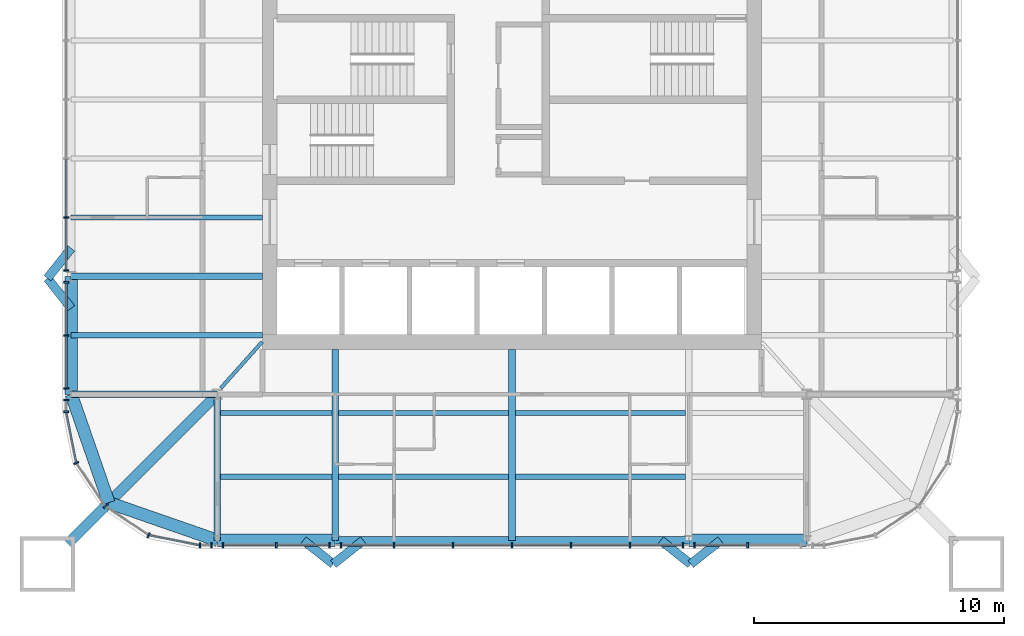
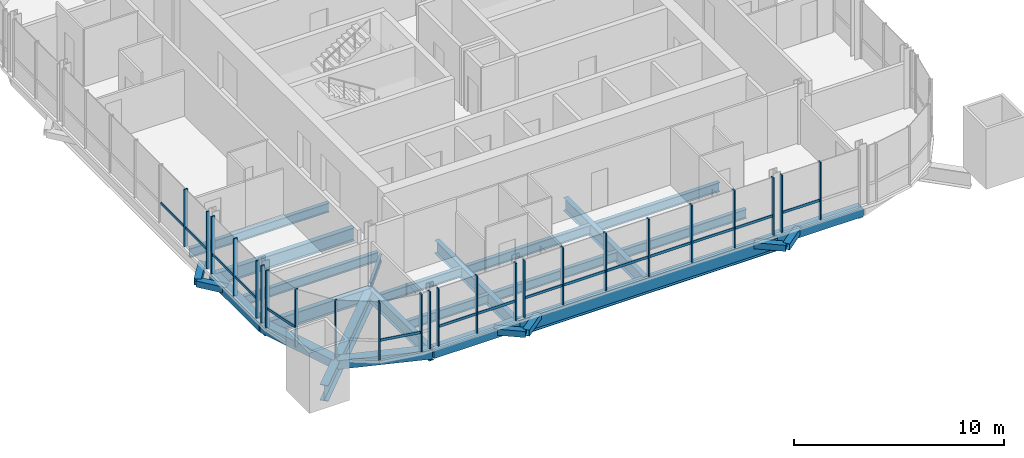
# One storey, part 2 of 17: 39 members, 27 beams, 8 elements without a shape of their own.
"""IFC4 building model written with IfcOpenShell, lengths in metres."""

import ifcopenshell
import ifcopenshell.guid

model = None  # the IFC model being written
_history = None  # IfcOwnerHistory: only IFC2X3 demands one
_inside = {}  # id of a spatial element -> (the spatial element, [elements in it])
_under = {}  # id of a project, library or spatial element -> (it, [spatial elements below it])
_declared = {}  # id of a project -> (the project, [libraries it declares])
_typed = {}  # id of a type object -> (the type object, [elements of that type])
_made_of = {}  # id of a material, layer set ... -> (it, [elements and type objects made of it])


def new_model(schema):
    """Start an empty IFC model of exactly this schema.

    Asked for "IFC4X3", IfcOpenShell would pick the latest addendum, in which some entities
    have other attributes; the version numbers below select the first issue.
    IFC2X3 requires an IfcOwnerHistory on every rooted entity: one is made here for all.
    """
    global model, _history
    if schema == "IFC4X3":
        model = ifcopenshell.file(schema_version=(4, 3, 0, 0))
    else:
        model = ifcopenshell.file(schema=schema)
    _inside.clear()
    _under.clear()
    _declared.clear()
    _typed.clear()
    _made_of.clear()
    _history = None
    if model.schema == "IFC2X3":
        org = make("IfcOrganization", Name="unknown")
        user = make(
            "IfcPersonAndOrganization",
            ThePerson=make("IfcPerson", FamilyName="unknown"),
            TheOrganization=org,
        )
        app = make(
            "IfcApplication",
            ApplicationDeveloper=org,
            Version="unknown",
            ApplicationFullName="unknown",
            ApplicationIdentifier="unknown",
        )
        _history = make(
            "IfcOwnerHistory",
            OwningUser=user,
            OwningApplication=app,
            ChangeAction="ADDED",
            CreationDate=0,
        )
    return model


def make(cls, **values):
    """One entity of the class cls with the attributes given. An attribute that is None is left unset."""
    return model.create_entity(
        cls, **{name: value for name, value in values.items() if value is not None}
    )


def rooted(cls, **values):
    """An entity with a GlobalId (a new one), such as an element, a storey or a relation."""
    return make(cls, GlobalId=ifcopenshell.guid.new(), OwnerHistory=_history, **values)


def si_unit(unit_type, name, prefix=None):
    """IfcSIUnit, for example si_unit("LENGTHUNIT", "METRE", prefix="MILLI")."""
    return make("IfcSIUnit", UnitType=unit_type, Prefix=prefix, Name=name)


def assignment(units):
    """IfcUnitAssignment: the units of a project."""
    return None if units is None else make("IfcUnitAssignment", Units=units)


def point(xyz):
    """IfcCartesianPoint."""
    return None if xyz is None else make("IfcCartesianPoint", Coordinates=xyz)


def direction(xyz):
    """IfcDirection."""
    return None if xyz is None else make("IfcDirection", DirectionRatios=xyz)


def frame(location, z_axis=None, x_axis=None):
    """IfcAxis2Placement3D, a coordinate frame: its origin and axes. An axis left out is left unset."""
    return make(
        "IfcAxis2Placement3D",
        Location=point(location),
        Axis=direction(z_axis),
        RefDirection=direction(x_axis),
    )


def frame_2d(location, x_axis=None):
    """IfcAxis2Placement2D, a coordinate frame in the plane: its origin and x axis."""
    return make(
        "IfcAxis2Placement2D", Location=point(location), RefDirection=direction(x_axis)
    )


def origin():
    """The frame at (0, 0, 0) with its axes left unset."""
    return frame((0.0, 0.0, 0.0))


def origin_2d():
    """The frame at (0, 0) in the plane with its x axis left unset."""
    return frame_2d((0.0, 0.0))


def place(relative_to, where):
    """IfcLocalPlacement: puts the frame where relative to a parent placement (None: the world)."""
    return make(
        "IfcLocalPlacement", PlacementRelTo=relative_to, RelativePlacement=where
    )


def context(
    kind, dimensions, precision=None, world=None, true_north=None, identifier=None
):
    """IfcGeometricRepresentationContext, for example the 3D "Model" context."""
    return make(
        "IfcGeometricRepresentationContext",
        ContextIdentifier=identifier,
        ContextType=kind,
        CoordinateSpaceDimension=dimensions,
        Precision=precision,
        WorldCoordinateSystem=world,
        TrueNorth=true_north,
    )


def subcontext(parent, identifier, kind, view, scale=None):
    """IfcGeometricRepresentationSubContext, for example "Body" below "Model"."""
    return make(
        "IfcGeometricRepresentationSubContext",
        ContextIdentifier=identifier,
        ContextType=kind,
        ParentContext=parent,
        TargetScale=scale,
        TargetView=view,
    )


def project(units=None, contexts=None):
    """IfcProject with its units and contexts."""
    return rooted(
        "IfcProject",
        Name="project",
        RepresentationContexts=contexts,
        UnitsInContext=assignment(units),
    )


def spatial(cls, under=None, at=None, **own):
    """A site, building, storey or space (cls), placed at a placement, below another one or the project."""
    s = rooted(cls, ObjectPlacement=at, **own)
    if under is not None:
        _under.setdefault(under.id(), (under, []))[1].append(s)
    return s


def profile(cls, at=None, kind="AREA", **sizes):
    """A parametric profile (cls). Its sizes go by their IFC names, for example OverallWidth=200.0."""
    return make(cls, ProfileType=kind, Position=at, **sizes)


def rectangle(**sizes):
    """IfcRectangleProfileDef."""
    return profile("IfcRectangleProfileDef", **sizes)


def hollow_rectangle(**sizes):
    """IfcRectangleHollowProfileDef."""
    return profile("IfcRectangleHollowProfileDef", **sizes)


def i_section(**sizes):
    """IfcIShapeProfileDef."""
    return profile("IfcIShapeProfileDef", **sizes)


def extrude(swept, where, along, depth):
    """IfcExtrudedAreaSolid: the profile swept, set in the frame where, extruded along a direction by depth."""
    return make(
        "IfcExtrudedAreaSolid",
        SweptArea=swept,
        Position=where,
        ExtrudedDirection=direction(along),
        Depth=depth,
    )


def shape(context_of_items, identifier, shape_type, items):
    """IfcShapeRepresentation: the items that make up one representation, for example the "Body"."""
    return make(
        "IfcShapeRepresentation",
        ContextOfItems=context_of_items,
        RepresentationIdentifier=identifier,
        RepresentationType=shape_type,
        Items=items,
    )


def material(Name=None, Category=None):
    """IfcMaterial."""
    return make("IfcMaterial", Name=Name, Category=Category)


def material_profile(
    of_material, cross_section, Name=None, Category=None, Priority=None
):
    """IfcMaterialProfile: a cross section and its material."""
    return make(
        "IfcMaterialProfile",
        Name=Name,
        Material=of_material,
        Profile=cross_section,
        Priority=Priority,
        Category=Category,
    )


def profile_set(profiles, Name=None, composite=None):
    """IfcMaterialProfileSet."""
    return make(
        "IfcMaterialProfileSet",
        Name=Name,
        MaterialProfiles=profiles,
        CompositeProfile=composite,
    )


def made_of(thing, what):
    """Note that an element or type object is made of a material, layer set ...; save() writes the relation."""
    if what is not None:
        _made_of.setdefault(what.id(), (what, []))[1].append(thing)
    return thing


def type_object(cls, material=None, **own):
    """A type object (cls), such as IfcWallType, which elements share."""
    return made_of(rooted(cls, **own), material)


def element(
    cls,
    number,
    at=None,
    inside=None,
    cuts=None,
    type_object=None,
    material=None,
    context=None,
    identifier="Body",
    shape_type=None,
    held_by="IfcProductDefinitionShape",
    body=None,
    shapes=None,
    **own,
):
    """One element of the class cls, such as IfcWall. Its Tag is "e" and its number.

    at: its placement. inside: the storey or other place that contains it. cuts: it is an
    opening in that element (IfcRelVoidsElement). A single representation is given by context,
    identifier, shape_type and body (its items); several are given by shapes. held_by: the class
    of the entity that holds the representations. save() writes the other relations.
    """
    e = rooted(cls, Tag="e%d" % number, ObjectPlacement=at, **own)
    if body is not None:
        shapes = [shape(context, identifier, shape_type, body)]
    if shapes is not None:
        e.Representation = make(held_by, Representations=shapes)
    if inside is not None:
        _inside.setdefault(inside.id(), (inside, []))[1].append(e)
    if cuts is not None:
        rooted(
            "IfcRelVoidsElement", RelatingBuildingElement=cuts, RelatedOpeningElement=e
        )
    if type_object is not None:
        _typed.setdefault(type_object.id(), (type_object, []))[1].append(e)
    return made_of(e, material)


def aggregate(whole, parts):
    """IfcRelAggregates: a whole, such as a stair, and the parts it consists of."""
    return rooted("IfcRelAggregates", RelatingObject=whole, RelatedObjects=parts)


def save(model, path):
    """Write the relations noted so far, then the file.

    IfcRelAggregates (storeys below a building ...), IfcRelContainedInSpatialStructure (elements
    in a storey), IfcRelDefinesByType, IfcRelAssociatesMaterial and IfcRelDeclares: one each for
    every whole, place, type object, material and project.
    """
    for whole, parts in _under.values():
        aggregate(whole, parts)
    for where, things in _inside.values():
        rooted(
            "IfcRelContainedInSpatialStructure",
            RelatedElements=things,
            RelatingStructure=where,
        )
    for kind, things in _typed.values():
        rooted("IfcRelDefinesByType", RelatedObjects=things, RelatingType=kind)
    for what, things in _made_of.values():
        rooted("IfcRelAssociatesMaterial", RelatedObjects=things, RelatingMaterial=what)
    for by, libraries in _declared.values():
        rooted("IfcRelDeclares", RelatingContext=by, RelatedDefinitions=libraries)
    model.write(path)


model = new_model("IFC4")

# Units and contexts
model_context = context("Model", 3, precision=1e-05, world=origin(), true_north=direction((0.0, 1.0)))
body_context = subcontext(model_context, "Body", "Model", "MODEL_VIEW")
ifc_project = project(units=[si_unit("LENGTHUNIT", "METRE"), si_unit("AREAUNIT", "SQUARE_METRE"), si_unit("VOLUMEUNIT", "CUBIC_METRE"), si_unit("PLANEANGLEUNIT", "RADIAN"), si_unit("MASSUNIT", "GRAM", prefix="KILO")], contexts=[model_context])

# Site, building, storey
site_placement = place(None, origin())
site = spatial("IfcSite", under=ifc_project, at=site_placement, CompositionType="ELEMENT")
building_placement = place(site_placement, origin())
building = spatial("IfcBuilding", under=site, at=building_placement, Name="Turquesa Mirador Hotel Tower", CompositionType="ELEMENT")
storey_placement = place(building_placement, frame((0.0, 0.0, 258.199951171875)))
storey = spatial("IfcBuildingStorey", under=building, at=storey_placement, Name="L70", CompositionType="ELEMENT", Elevation=258.199951171875)

# Beams
ifc_material_1 = material(Name="Steel ASTM A572 Grade 50", Category="steel")
ifc_material_profile_1 = material_profile(ifc_material_1, hollow_rectangle(XDim=0.5, YDim=0.5, WallThickness=0.01611328125, at=origin_2d()), Name="BOX500X500X16")
ifc_profile_set_1 = profile_set([ifc_material_profile_1], Name="Steel ASTM A572 Grade 50")
beam_type_1 = type_object("IfcBeamType", Name="BEAM BOX500X500X16", PredefinedType="BEAM", material=ifc_profile_set_1)
for number, where, z_axis, x_axis, name in (
    (1, (43.199951171875, 27.35009765625, -0.419921875), (1.0, 0.0, 0.0), (0.0, 1.0, 0.0), "EB-L70-S-L"),
    (2, (62.080078125, 27.35009765625, -0.419921875), (1.0, 0.0, 0.0), (0.0, 1.0, 0.0), "EB-L70-S-R"),
    (3, (37.35009765625, 33.199951171875, -0.419921875), (0.0, 1.0, 0.0), (-1.0, 0.0, 0.0), "EB-L70-W-L"),
):
    element("IfcBeam", number, at=place(storey_placement, frame(where, z_axis=z_axis, x_axis=x_axis)), inside=storey, type_object=beam_type_1, Name=name, PredefinedType="BEAM", context=body_context, shape_type="SweptSolid", body=[
        extrude(hollow_rectangle(XDim=0.5, YDim=0.5, WallThickness=0.01611328125, at=origin_2d()), origin(), (0.0, 0.0, 1.0), 4.719970703125),
    ])
for number, where, z_axis, x_axis, name in (
    (4, (37.35009765625, 33.199951171875, -0.419921875), (0.328170356092, -0.944618556552, 0.0), (0.944618556552, 0.328170356092, 0.0), "KE-L70-3-0"),
    (5, (38.8583984375, 28.8583984375, -0.419921875), (0.944618556552, -0.328170356092, 0.0), (0.328170356092, 0.944618556552, 0.0), "KE-L70-3-1"),
):
    element("IfcBeam", number, at=place(storey_placement, frame(where, z_axis=z_axis, x_axis=x_axis)), inside=storey, type_object=beam_type_1, Name=name, PredefinedType="BEAM", context=body_context, shape_type="SweptSolid", body=[
        extrude(hollow_rectangle(XDim=0.5, YDim=0.5, WallThickness=0.01611328125, at=origin_2d()), origin(), (0.0, 0.0, 1.0), 4.59619140625),
    ])
ifc_material_2 = material(Name="Steel ASTM A992 Grade 50", Category="steel")
ifc_material_profile_2 = material_profile(ifc_material_2, i_section(OverallWidth=0.140380859375, OverallDepth=0.40380859375, WebThickness=0.007080078125, FlangeThickness=0.01123046875, at=origin_2d()), Name="W16X31")
ifc_profile_set_2 = profile_set([ifc_material_profile_2], Name="Steel ASTM A992 Grade 50")
beam_type_2 = type_object("IfcBeamType", Name="BEAM W16X31", PredefinedType="BEAM", material=ifc_profile_set_2)
beam_1_placement = place(storey_placement, frame((43.343505859375, 33.44873046875, -0.371826171875), z_axis=(0.666806350186, 0.745231032198, 0.0), x_axis=(-0.745231032198, 0.666806350186, 0.0)))
element("IfcBeam", 6, at=beam_1_placement, inside=storey, type_object=beam_type_2, Name="KT-L70-3", PredefinedType="BEAM", context=body_context, shape_type="SweptSolid", body=[
    extrude(i_section(OverallWidth=0.140380859375, OverallDepth=0.40380859375, WebThickness=0.007080078125, FlangeThickness=0.01123046875, at=origin_2d()), origin(), (0.0, 0.0, 1.0), 2.484130859375),
])
ifc_material_3 = material(Name="Steel ASTM A992 Grade 50", Category="steel")
ifc_material_profile_3 = material_profile(ifc_material_3, i_section(OverallWidth=0.209228515625, OverallDepth=0.533447265625, WebThickness=0.01025390625, FlangeThickness=0.015625, at=origin_2d()), Name="W21X62")
ifc_profile_set_3 = profile_set([ifc_material_profile_3], Name="Steel ASTM A992 Grade 50")
beam_type_3 = type_object("IfcBeamType", Name="BEAM W21X62", PredefinedType="BEAM", material=ifc_profile_set_3)
beam_2_placement = place(storey_placement, frame((43.333251953125, 32.449951171875, -0.436767578125), z_axis=(1.0, 0.0, 0.0), x_axis=(0.0, 1.0, 0.0)))
element("IfcBeam", 7, at=beam_2_placement, inside=storey, type_object=beam_type_3, Name="IB-L70-S-1-0", PredefinedType="BEAM", context=body_context, shape_type="SweptSolid", body=[
    extrude(i_section(OverallWidth=0.209228515625, OverallDepth=0.533447265625, WebThickness=0.01025390625, FlangeThickness=0.015625, at=origin_2d()), origin(), (0.0, 0.0, 1.0), 4.453369140625),
])
for number, where, z_axis, x_axis, name in (
    (8, (48.053466796875, 32.449951171875, -0.436767578125), (1.0, 0.0, 0.0), (0.0, 1.0, 0.0), "IB-L70-S-1-1"),
    (9, (55.13330078125, 32.449951171875, -0.436767578125), (1.0, 0.0, 0.0), (0.0, 1.0, 0.0), "IB-L70-S-1-2"),
):
    element("IfcBeam", number, at=place(storey_placement, frame(where, z_axis=z_axis, x_axis=x_axis)), inside=storey, type_object=beam_type_3, Name=name, PredefinedType="BEAM", context=body_context, shape_type="SweptSolid", body=[
        extrude(i_section(OverallWidth=0.209228515625, OverallDepth=0.533447265625, WebThickness=0.01025390625, FlangeThickness=0.015625, at=origin_2d()), origin(), (0.0, 0.0, 1.0), 6.813232421875),
    ])
beam_3_placement = place(storey_placement, frame((43.333251953125, 29.89990234375, -0.436767578125), z_axis=(1.0, 0.0, 0.0), x_axis=(0.0, 1.0, 0.0)))
element("IfcBeam", 10, at=beam_3_placement, inside=storey, type_object=beam_type_3, Name="IB-L70-S-2-0", PredefinedType="BEAM", context=body_context, shape_type="SweptSolid", body=[
    extrude(i_section(OverallWidth=0.209228515625, OverallDepth=0.533447265625, WebThickness=0.01025390625, FlangeThickness=0.015625, at=origin_2d()), origin(), (0.0, 0.0, 1.0), 4.453369140625),
])
for number, where, z_axis, x_axis, name in (
    (11, (48.053466796875, 29.89990234375, -0.436767578125), (1.0, 0.0, 0.0), (0.0, 1.0, 0.0), "IB-L70-S-2-1"),
    (12, (55.13330078125, 29.89990234375, -0.436767578125), (1.0, 0.0, 0.0), (0.0, 1.0, 0.0), "IB-L70-S-2-2"),
):
    element("IfcBeam", number, at=place(storey_placement, frame(where, z_axis=z_axis, x_axis=x_axis)), inside=storey, type_object=beam_type_3, Name=name, PredefinedType="BEAM", context=body_context, shape_type="SweptSolid", body=[
        extrude(i_section(OverallWidth=0.209228515625, OverallDepth=0.533447265625, WebThickness=0.01025390625, FlangeThickness=0.015625, at=origin_2d()), origin(), (0.0, 0.0, 1.0), 6.813232421875),
    ])
for number, where, z_axis, x_axis, name in (
    (13, (37.35009765625, 35.56005859375, -0.436767578125), (1.0, 0.0, 0.0), (0.0, 1.0, 0.0), "BM-L70-W--9.44"),
    (14, (37.35009765625, 40.280029296875, -0.436767578125), (1.0, 0.0, 0.0), (0.0, 1.0, 0.0), "BM-L70-W--4.72"),
):
    element("IfcBeam", number, at=place(storey_placement, frame(where, z_axis=z_axis, x_axis=x_axis)), inside=storey, type_object=beam_type_3, Name=name, PredefinedType="BEAM", context=body_context, shape_type="SweptSolid", body=[
        extrude(i_section(OverallWidth=0.209228515625, OverallDepth=0.533447265625, WebThickness=0.01025390625, FlangeThickness=0.015625, at=origin_2d()), origin(), (0.0, 0.0, 1.0), 7.64990234375),
    ])
ifc_material_4 = material(Name="Steel ASTM A992 Grade 50", Category="steel")
ifc_material_profile_4 = material_profile(ifc_material_4, i_section(OverallWidth=0.2666015625, OverallDepth=0.7568359375, WebThickness=0.013916015625, FlangeThickness=0.019287109375, at=origin_2d()), Name="W30X108")
ifc_profile_set_4 = profile_set([ifc_material_profile_4], Name="Steel ASTM A992 Grade 50")
beam_type_4 = type_object("IfcBeamType", Name="BEAM W30X108", PredefinedType="BEAM", material=ifc_profile_set_4)
for number, where, z_axis, x_axis, name in (
    (15, (47.919921875, 27.35009765625, -0.54833984375), (0.0, 1.0, 0.0), (-1.0, 0.0, 0.0), "GD-L70-S--7.08"),
    (16, (55.0, 27.35009765625, -0.54833984375), (0.0, 1.0, 0.0), (-1.0, 0.0, 0.0), "GD-L70-S-+0.00"),
):
    element("IfcBeam", number, at=place(storey_placement, frame(where, z_axis=z_axis, x_axis=x_axis)), inside=storey, type_object=beam_type_4, Name=name, PredefinedType="BEAM", context=body_context, shape_type="SweptSolid", body=[
        extrude(i_section(OverallWidth=0.2666015625, OverallDepth=0.7568359375, WebThickness=0.013916015625, FlangeThickness=0.019287109375, at=origin_2d()), origin(), (0.0, 0.0, 1.0), 7.64990234375),
    ])
beam_4_placement = place(storey_placement, frame((43.199951171875, 27.35009765625, -0.54833984375), z_axis=(0.0, 1.0, 0.0), x_axis=(-1.0, 0.0, 0.0)))
element("IfcBeam", 17, at=beam_4_placement, inside=storey, type_object=beam_type_4, Name="GK-L70-S--11.80", PredefinedType="BEAM", context=body_context, shape_type="SweptSolid", body=[
    extrude(i_section(OverallWidth=0.2666015625, OverallDepth=0.7568359375, WebThickness=0.013916015625, FlangeThickness=0.019287109375, at=origin_2d()), origin(), (0.0, 0.0, 1.0), 5.849853515625),
])
beam_5_placement = place(storey_placement, frame((37.35009765625, 37.919921875, -0.54833984375), z_axis=(1.0, 0.0, 0.0), x_axis=(0.0, 1.0, 0.0)))
element("IfcBeam", 18, at=beam_5_placement, inside=storey, type_object=beam_type_4, Name="GD-L70-W--7.08", PredefinedType="BEAM", context=body_context, shape_type="SweptSolid", body=[
    extrude(i_section(OverallWidth=0.2666015625, OverallDepth=0.7568359375, WebThickness=0.013916015625, FlangeThickness=0.019287109375, at=origin_2d()), origin(), (0.0, 0.0, 1.0), 7.64990234375),
])
beam_6_placement = place(storey_placement, frame((37.35009765625, 33.199951171875, -0.54833984375), z_axis=(1.0, 0.0, 0.0), x_axis=(0.0, 1.0, 0.0)))
element("IfcBeam", 19, at=beam_6_placement, inside=storey, type_object=beam_type_4, Name="GK-L70-W--11.80", PredefinedType="BEAM", context=body_context, shape_type="SweptSolid", body=[
    extrude(i_section(OverallWidth=0.2666015625, OverallDepth=0.7568359375, WebThickness=0.013916015625, FlangeThickness=0.019287109375, at=origin_2d()), origin(), (0.0, 0.0, 1.0), 5.849853515625),
])
ifc_material_5 = material(Name="Steel ASTM A992 Grade 50", Category="steel")
ifc_material_profile_5 = material_profile(ifc_material_5, i_section(OverallWidth=0.3046875, OverallDepth=0.911865234375, WebThickness=0.015869140625, FlangeThickness=0.02392578125, at=origin_2d()), Name="W36X150")
ifc_profile_set_5 = profile_set([ifc_material_profile_5], Name="Steel ASTM A992 Grade 50")
beam_type_5 = type_object("IfcBeamType", Name="BEAM W36X150", PredefinedType="BEAM", material=ifc_profile_set_5)
beam_7_placement = place(storey_placement, frame((47.919921875, 27.35009765625, -0.6259765625), z_axis=(1.0, 0.0, 0.0), x_axis=(0.0, 1.0, 0.0)))
element("IfcBeam", 20, at=beam_7_placement, inside=storey, type_object=beam_type_5, Name="EB-L70-S-C", PredefinedType="BEAM", context=body_context, shape_type="SweptSolid", body=[
    extrude(i_section(OverallWidth=0.3046875, OverallDepth=0.911865234375, WebThickness=0.015869140625, FlangeThickness=0.02392578125, at=origin_2d()), origin(), (0.0, 0.0, 1.0), 14.16015625),
])
ifc_material_6 = material(Name="Steel ASTM A992 Grade 50", Category="steel")
ifc_material_profile_6 = material_profile(ifc_material_6, i_section(OverallWidth=0.419189453125, OverallDepth=0.927001953125, WebThickness=0.019287109375, FlangeThickness=0.031982421875, at=origin_2d()), Name="W36X231")
ifc_profile_set_6 = profile_set([ifc_material_profile_6], Name="Steel ASTM A992 Grade 50")
beam_type_6 = type_object("IfcBeamType", Name="BEAM W36X231", PredefinedType="BEAM", material=ifc_profile_set_6)
beam_8_placement = place(storey_placement, frame((43.199951171875, 33.199951171875, -0.633544921875), z_axis=(-0.707106781187, -0.707106781187, 0.0), x_axis=(0.707106781187, -0.707106781187, 0.0)))
element("IfcBeam", 21, at=beam_8_placement, inside=storey, type_object=beam_type_6, Name="KD-L70-3", PredefinedType="BEAM", context=body_context, shape_type="SweptSolid", body=[
    extrude(i_section(OverallWidth=0.419189453125, OverallDepth=0.927001953125, WebThickness=0.019287109375, FlangeThickness=0.031982421875, at=origin_2d()), origin(), (0.0, 0.0, 1.0), 8.46240234375),
])
ifc_material_7 = material(Name="Steel ASTM A500 Grade C", Category="steel")
ifc_material_profile_7 = material_profile(ifc_material_7, hollow_rectangle(XDim=0.355712890625, YDim=0.355712890625, WallThickness=0.0146484375, at=origin_2d()), Name="HSS14X14X5/8")
ifc_profile_set_7 = profile_set([ifc_material_profile_7], Name="Steel ASTM A500 Grade C")
beam_type_7 = type_object("IfcBeamType", Name="BRACE STRUT HSS14X14X5/8", PredefinedType="BEAM", material=ifc_profile_set_7)
for number, where, z_axis, x_axis, name in (
    (22, (62.15380859375, 26.39990234375, -0.34765625), (-0.783971428146, 0.620796907089, 0.0), (-0.620796907089, -0.783971428146, 0.0), "Brace strut"),
    (23, (62.15380859375, 26.39990234375, -0.34765625), (0.783971428146, 0.620796907089, 0.0), (-0.620796907089, 0.783971428146, 0.0), "Brace strut"),
    (24, (47.84619140625, 26.39990234375, -0.34765625), (-0.783971428146, 0.620796907089, 0.0), (-0.620796907089, -0.783971428146, 0.0), "Brace strut"),
    (25, (47.84619140625, 26.39990234375, -0.34765625), (0.783971428146, 0.620796907089, 0.0), (-0.620796907089, 0.783971428146, 0.0), "Brace strut"),
    (26, (36.39990234375, 37.84619140625, -0.34765625), (0.620796907089, -0.783971428146, 0.0), (0.783971428146, 0.620796907089, 0.0), "Brace strut"),
    (27, (36.39990234375, 37.84619140625, -0.34765625), (0.620796907089, 0.783971428146, 0.0), (-0.783971428146, 0.620796907089, 0.0), "Brace strut"),
):
    element("IfcBeam", number, at=place(storey_placement, frame(where, z_axis=z_axis, x_axis=x_axis)), inside=storey, type_object=beam_type_7, Name=name, PredefinedType="BEAM", context=body_context, shape_type="SweptSolid", body=[
        extrude(hollow_rectangle(XDim=0.355712890625, YDim=0.355712890625, WallThickness=0.0146484375, at=origin_2d()), origin(), (0.0, 0.0, 1.0), 1.530517578125),
    ])

# Curtain wall, members
ifc_material_8 = material(Name="Aluminium extrusion", Category="aluminium")
curtain_wall_type = type_object("IfcCurtainWallType", Name="CW-4 SUITE FRITTED CURTAIN WALL", PredefinedType="USERDEFINED", material=ifc_material_8)
curtain_wall_1_placement = place(storey_placement, origin())
curtain_wall_1 = element("IfcCurtainWall", 28, at=curtain_wall_1_placement, inside=storey, type_object=curtain_wall_type, Name="CW-4 SUITE FRITTED CURTAIN WALL L70", ObjectType="CURTAIN WALL", PredefinedType="USERDEFINED")
ifc_material_9 = material(Name="Aluminium extrusion", Category="aluminium")
ifc_material_profile_8 = material_profile(ifc_material_9, rectangle(XDim=0.06494140625, YDim=0.199951171875, at=origin_2d()), Name="MULLION 65X200")
ifc_profile_set_8 = profile_set([ifc_material_profile_8], Name="Aluminium extrusion")
member_type_1 = type_object("IfcMemberType", Name="CW MULLION 65X200", PredefinedType="MULLION", material=ifc_profile_set_8)
member_1_placement = place(storey_placement, frame((37.14990234375, 40.280029296875, 0.0), z_axis=(0.0, 0.0, 1.0), x_axis=(0.0, -1.0, 0.0)))
member_1 = element("IfcMember", 29, at=member_1_placement, type_object=member_type_1, Name="Mullion", PredefinedType="MULLION", context=body_context, shape_type="SweptSolid", body=[
    extrude(rectangle(XDim=0.06494140625, YDim=0.199951171875, at=origin_2d()), origin(), (0.0, 0.0, 1.0), 3.330078125),
])
member_2_placement = place(storey_placement, frame((37.14990234375, 38.15380859375, 0.0), z_axis=(0.0, 0.0, 1.0), x_axis=(0.0, -1.0, 0.0)))
member_2 = element("IfcMember", 30, at=member_2_placement, type_object=member_type_1, Name="Mullion", PredefinedType="MULLION", context=body_context, shape_type="SweptSolid", body=[
    extrude(rectangle(XDim=0.06494140625, YDim=0.199951171875, at=origin_2d()), origin(), (0.0, 0.0, 1.0), 3.330078125),
])

curtain_wall_2_placement = place(storey_placement, origin())
curtain_wall_2 = element("IfcCurtainWall", 31, at=curtain_wall_2_placement, inside=storey, type_object=curtain_wall_type, Name="CW-4 SUITE FRITTED CURTAIN WALL L70", ObjectType="CURTAIN WALL", PredefinedType="USERDEFINED")
member_3_placement = place(storey_placement, frame((37.14990234375, 37.68603515625, 0.0), z_axis=(0.0, 0.0, 1.0), x_axis=(0.0, -1.0, 0.0)))
member_3 = element("IfcMember", 32, at=member_3_placement, type_object=member_type_1, Name="Mullion", PredefinedType="MULLION", context=body_context, shape_type="SweptSolid", body=[
    extrude(rectangle(XDim=0.06494140625, YDim=0.199951171875, at=origin_2d()), origin(), (0.0, 0.0, 1.0), 3.330078125),
])
member_4_placement = place(storey_placement, frame((37.14990234375, 35.56005859375, 0.0), z_axis=(0.0, 0.0, 1.0), x_axis=(0.0, -1.0, 0.0)))
member_4 = element("IfcMember", 33, at=member_4_placement, type_object=member_type_1, Name="Mullion", PredefinedType="MULLION", context=body_context, shape_type="SweptSolid", body=[
    extrude(rectangle(XDim=0.06494140625, YDim=0.199951171875, at=origin_2d()), origin(), (0.0, 0.0, 1.0), 3.330078125),
])
member_5_placement = place(storey_placement, frame((37.14990234375, 33.433837890625, 0.0), z_axis=(0.0, 0.0, 1.0), x_axis=(0.0, -1.0, 0.0)))
member_5 = element("IfcMember", 34, at=member_5_placement, type_object=member_type_1, Name="Mullion", PredefinedType="MULLION", context=body_context, shape_type="SweptSolid", body=[
    extrude(rectangle(XDim=0.06494140625, YDim=0.199951171875, at=origin_2d()), origin(), (0.0, 0.0, 1.0), 3.330078125),
])

curtain_wall_3_placement = place(storey_placement, origin())
curtain_wall_3 = element("IfcCurtainWall", 35, at=curtain_wall_3_placement, inside=storey, type_object=curtain_wall_type, Name="CW-4 SUITE FRITTED CURTAIN WALL L70", ObjectType="CURTAIN WALL", PredefinedType="USERDEFINED")
member_6_placement = place(storey_placement, frame((37.14990234375, 32.966064453125, 0.0), z_axis=(0.0, 0.0, 1.0), x_axis=(0.0, -1.0, 0.0)))
member_6 = element("IfcMember", 36, at=member_6_placement, type_object=member_type_1, Name="Mullion", PredefinedType="MULLION", context=body_context, shape_type="SweptSolid", body=[
    extrude(rectangle(XDim=0.06494140625, YDim=0.199951171875, at=origin_2d()), origin(), (0.0, 0.0, 1.0), 3.330078125),
])
member_7_placement = place(storey_placement, frame((37.14990234375, 32.5, 0.0), z_axis=(0.0, 0.0, 1.0), x_axis=(0.0, -1.0, 0.0)))
member_7 = element("IfcMember", 37, at=member_7_placement, type_object=member_type_1, Name="Mullion", PredefinedType="MULLION", context=body_context, shape_type="SweptSolid", body=[
    extrude(rectangle(XDim=0.06494140625, YDim=0.199951171875, at=origin_2d()), origin(), (0.0, 0.0, 1.0), 3.330078125),
])
aggregate(curtain_wall_3, [member_6, member_7])

curtain_wall_4_placement = place(storey_placement, origin())
curtain_wall_4 = element("IfcCurtainWall", 38, at=curtain_wall_4_placement, inside=storey, type_object=curtain_wall_type, Name="CW-4 SUITE FRITTED CURTAIN WALL L70", ObjectType="CURTAIN WALL", PredefinedType="USERDEFINED")
member_8_placement = place(storey_placement, frame((37.55712890625, 30.45263671875, 0.0), z_axis=(0.0, 0.0, 1.0), x_axis=(0.382683432365, -0.923879532511, 0.0)))
member_8 = element("IfcMember", 39, at=member_8_placement, type_object=member_type_1, Name="Mullion", PredefinedType="MULLION", context=body_context, shape_type="SweptSolid", body=[
    extrude(rectangle(XDim=0.06494140625, YDim=0.199951171875, at=origin_2d()), origin(), (0.0, 0.0, 1.0), 3.330078125),
])
member_9_placement = place(storey_placement, frame((38.717041015625, 28.717041015625, 0.0), z_axis=(0.0, 0.0, 1.0), x_axis=(0.707106781187, -0.707106781187, 0.0)))
member_9 = element("IfcMember", 40, at=member_9_placement, type_object=member_type_1, Name="Mullion", PredefinedType="MULLION", context=body_context, shape_type="SweptSolid", body=[
    extrude(rectangle(XDim=0.06494140625, YDim=0.199951171875, at=origin_2d()), origin(), (0.0, 0.0, 1.0), 3.330078125),
])
member_10_placement = place(storey_placement, frame((40.45263671875, 27.55712890625, 0.0), z_axis=(0.0, 0.0, 1.0), x_axis=(0.923879532511, -0.382683432365, 0.0)))
member_10 = element("IfcMember", 41, at=member_10_placement, type_object=member_type_1, Name="Mullion", PredefinedType="MULLION", context=body_context, shape_type="SweptSolid", body=[
    extrude(rectangle(XDim=0.06494140625, YDim=0.199951171875, at=origin_2d()), origin(), (0.0, 0.0, 1.0), 3.330078125),
])

curtain_wall_5_placement = place(storey_placement, origin())
curtain_wall_5 = element("IfcCurtainWall", 42, at=curtain_wall_5_placement, inside=storey, type_object=curtain_wall_type, Name="CW-4 SUITE FRITTED CURTAIN WALL L70", ObjectType="CURTAIN WALL", PredefinedType="USERDEFINED")
member_11_placement = place(storey_placement, frame((42.5, 27.14990234375, 0.0), z_axis=(0.0, 0.0, 1.0), x_axis=(1.0, 0.0, 0.0)))
member_11 = element("IfcMember", 43, at=member_11_placement, type_object=member_type_1, Name="Mullion", PredefinedType="MULLION", context=body_context, shape_type="SweptSolid", body=[
    extrude(rectangle(XDim=0.06494140625, YDim=0.199951171875, at=origin_2d()), origin(), (0.0, 0.0, 1.0), 3.330078125),
])
member_12_placement = place(storey_placement, frame((42.966064453125, 27.14990234375, 0.0), z_axis=(0.0, 0.0, 1.0), x_axis=(1.0, 0.0, 0.0)))
member_12 = element("IfcMember", 44, at=member_12_placement, type_object=member_type_1, Name="Mullion", PredefinedType="MULLION", context=body_context, shape_type="SweptSolid", body=[
    extrude(rectangle(XDim=0.06494140625, YDim=0.199951171875, at=origin_2d()), origin(), (0.0, 0.0, 1.0), 3.330078125),
])
aggregate(curtain_wall_5, [member_11, member_12])

curtain_wall_6_placement = place(storey_placement, origin())
curtain_wall_6 = element("IfcCurtainWall", 45, at=curtain_wall_6_placement, inside=storey, type_object=curtain_wall_type, Name="CW-4 SUITE FRITTED CURTAIN WALL L70", ObjectType="CURTAIN WALL", PredefinedType="USERDEFINED")
member_13_placement = place(storey_placement, frame((43.433837890625, 27.14990234375, 0.0), z_axis=(0.0, 0.0, 1.0), x_axis=(1.0, 0.0, 0.0)))
member_13 = element("IfcMember", 46, at=member_13_placement, type_object=member_type_1, Name="Mullion", PredefinedType="MULLION", context=body_context, shape_type="SweptSolid", body=[
    extrude(rectangle(XDim=0.06494140625, YDim=0.199951171875, at=origin_2d()), origin(), (0.0, 0.0, 1.0), 3.330078125),
])
member_14_placement = place(storey_placement, frame((45.56005859375, 27.14990234375, 0.0), z_axis=(0.0, 0.0, 1.0), x_axis=(1.0, 0.0, 0.0)))
member_14 = element("IfcMember", 47, at=member_14_placement, type_object=member_type_1, Name="Mullion", PredefinedType="MULLION", context=body_context, shape_type="SweptSolid", body=[
    extrude(rectangle(XDim=0.06494140625, YDim=0.199951171875, at=origin_2d()), origin(), (0.0, 0.0, 1.0), 3.330078125),
])
member_15_placement = place(storey_placement, frame((47.68603515625, 27.14990234375, 0.0), z_axis=(0.0, 0.0, 1.0), x_axis=(1.0, 0.0, 0.0)))
member_15 = element("IfcMember", 48, at=member_15_placement, type_object=member_type_1, Name="Mullion", PredefinedType="MULLION", context=body_context, shape_type="SweptSolid", body=[
    extrude(rectangle(XDim=0.06494140625, YDim=0.199951171875, at=origin_2d()), origin(), (0.0, 0.0, 1.0), 3.330078125),
])

curtain_wall_7_placement = place(storey_placement, origin())
curtain_wall_7 = element("IfcCurtainWall", 49, at=curtain_wall_7_placement, inside=storey, type_object=curtain_wall_type, Name="CW-4 SUITE FRITTED CURTAIN WALL L70", ObjectType="CURTAIN WALL", PredefinedType="USERDEFINED")
member_16_placement = place(storey_placement, frame((48.15380859375, 27.14990234375, 0.0), z_axis=(0.0, 0.0, 1.0), x_axis=(1.0, 0.0, 0.0)))
member_16 = element("IfcMember", 50, at=member_16_placement, type_object=member_type_1, Name="Mullion", PredefinedType="MULLION", context=body_context, shape_type="SweptSolid", body=[
    extrude(rectangle(XDim=0.06494140625, YDim=0.199951171875, at=origin_2d()), origin(), (0.0, 0.0, 1.0), 3.330078125),
])
member_17_placement = place(storey_placement, frame((50.280029296875, 27.14990234375, 0.0), z_axis=(0.0, 0.0, 1.0), x_axis=(1.0, 0.0, 0.0)))
member_17 = element("IfcMember", 51, at=member_17_placement, type_object=member_type_1, Name="Mullion", PredefinedType="MULLION", context=body_context, shape_type="SweptSolid", body=[
    extrude(rectangle(XDim=0.06494140625, YDim=0.199951171875, at=origin_2d()), origin(), (0.0, 0.0, 1.0), 3.330078125),
])
member_18_placement = place(storey_placement, frame((52.639892578125, 27.14990234375, 0.0), z_axis=(0.0, 0.0, 1.0), x_axis=(1.0, 0.0, 0.0)))
member_18 = element("IfcMember", 52, at=member_18_placement, type_object=member_type_1, Name="Mullion", PredefinedType="MULLION", context=body_context, shape_type="SweptSolid", body=[
    extrude(rectangle(XDim=0.06494140625, YDim=0.199951171875, at=origin_2d()), origin(), (0.0, 0.0, 1.0), 3.330078125),
])
member_19_placement = place(storey_placement, frame((55.0, 27.14990234375, 0.0), z_axis=(0.0, 0.0, 1.0), x_axis=(1.0, 0.0, 0.0)))
member_19 = element("IfcMember", 53, at=member_19_placement, type_object=member_type_1, Name="Mullion", PredefinedType="MULLION", context=body_context, shape_type="SweptSolid", body=[
    extrude(rectangle(XDim=0.06494140625, YDim=0.199951171875, at=origin_2d()), origin(), (0.0, 0.0, 1.0), 3.330078125),
])
member_20_placement = place(storey_placement, frame((57.360107421875, 27.14990234375, 0.0), z_axis=(0.0, 0.0, 1.0), x_axis=(1.0, 0.0, 0.0)))
member_20 = element("IfcMember", 54, at=member_20_placement, type_object=member_type_1, Name="Mullion", PredefinedType="MULLION", context=body_context, shape_type="SweptSolid", body=[
    extrude(rectangle(XDim=0.06494140625, YDim=0.199951171875, at=origin_2d()), origin(), (0.0, 0.0, 1.0), 3.330078125),
])
member_21_placement = place(storey_placement, frame((59.719970703125, 27.14990234375, 0.0), z_axis=(0.0, 0.0, 1.0), x_axis=(1.0, 0.0, 0.0)))
member_21 = element("IfcMember", 55, at=member_21_placement, type_object=member_type_1, Name="Mullion", PredefinedType="MULLION", context=body_context, shape_type="SweptSolid", body=[
    extrude(rectangle(XDim=0.06494140625, YDim=0.199951171875, at=origin_2d()), origin(), (0.0, 0.0, 1.0), 3.330078125),
])
member_22_placement = place(storey_placement, frame((61.84619140625, 27.14990234375, 0.0), z_axis=(0.0, 0.0, 1.0), x_axis=(1.0, 0.0, 0.0)))
member_22 = element("IfcMember", 56, at=member_22_placement, type_object=member_type_1, Name="Mullion", PredefinedType="MULLION", context=body_context, shape_type="SweptSolid", body=[
    extrude(rectangle(XDim=0.06494140625, YDim=0.199951171875, at=origin_2d()), origin(), (0.0, 0.0, 1.0), 3.330078125),
])

curtain_wall_8_placement = place(storey_placement, origin())
curtain_wall_8 = element("IfcCurtainWall", 57, at=curtain_wall_8_placement, inside=storey, type_object=curtain_wall_type, Name="CW-4 SUITE FRITTED CURTAIN WALL L70", ObjectType="CURTAIN WALL", PredefinedType="USERDEFINED")
member_23_placement = place(storey_placement, frame((62.31396484375, 27.14990234375, 0.0), z_axis=(0.0, 0.0, 1.0), x_axis=(1.0, 0.0, 0.0)))
member_23 = element("IfcMember", 58, at=member_23_placement, type_object=member_type_1, Name="Mullion", PredefinedType="MULLION", context=body_context, shape_type="SweptSolid", body=[
    extrude(rectangle(XDim=0.06494140625, YDim=0.199951171875, at=origin_2d()), origin(), (0.0, 0.0, 1.0), 3.330078125),
])
member_24_placement = place(storey_placement, frame((64.43994140625, 27.14990234375, 0.0), z_axis=(0.0, 0.0, 1.0), x_axis=(1.0, 0.0, 0.0)))
member_24 = element("IfcMember", 59, at=member_24_placement, type_object=member_type_1, Name="Mullion", PredefinedType="MULLION", context=body_context, shape_type="SweptSolid", body=[
    extrude(rectangle(XDim=0.06494140625, YDim=0.199951171875, at=origin_2d()), origin(), (0.0, 0.0, 1.0), 3.330078125),
])

# Member
ifc_material_10 = material(Name="Aluminium extrusion", Category="aluminium")
ifc_material_profile_9 = material_profile(ifc_material_10, rectangle(XDim=0.06494140625, YDim=0.14990234375, at=origin_2d()), Name="TRANSOM 65X150")
ifc_profile_set_9 = profile_set([ifc_material_profile_9], Name="Aluminium extrusion")
member_type_2 = type_object("IfcMemberType", Name="CW TRANSOM 65X150", PredefinedType="USERDEFINED", material=ifc_profile_set_9)
member_25_placement = place(storey_placement, frame((37.14990234375, 42.607421875, 1.10009765625), z_axis=(0.0, -1.0, 0.0), x_axis=(1.0, 0.0, 0.0)))
member_25 = element("IfcMember", 60, at=member_25_placement, type_object=member_type_2, Name="Transom", ObjectType="TRANSOM", PredefinedType="USERDEFINED", context=body_context, shape_type="SweptSolid", body=[
    extrude(rectangle(XDim=0.06494140625, YDim=0.14990234375, at=origin_2d()), origin(), (0.0, 0.0, 1.0), 2.294921875),
])

member_26_placement = place(storey_placement, frame((37.14990234375, 40.24755859375, 1.10009765625), z_axis=(0.0, -1.0, 0.0), x_axis=(1.0, 0.0, 0.0)))
member_26 = element("IfcMember", 61, at=member_26_placement, type_object=member_type_2, Name="Transom", ObjectType="TRANSOM", PredefinedType="USERDEFINED", context=body_context, shape_type="SweptSolid", body=[
    extrude(rectangle(XDim=0.06494140625, YDim=0.14990234375, at=origin_2d()), origin(), (0.0, 0.0, 1.0), 2.061279296875),
])

aggregate(curtain_wall_1, [member_1, member_2, member_25, member_26])

member_27_placement = place(storey_placement, frame((37.14990234375, 37.653564453125, 1.10009765625), z_axis=(0.0, -1.0, 0.0), x_axis=(1.0, 0.0, 0.0)))
member_27 = element("IfcMember", 62, at=member_27_placement, type_object=member_type_2, Name="Transom", ObjectType="TRANSOM", PredefinedType="USERDEFINED", context=body_context, shape_type="SweptSolid", body=[
    extrude(rectangle(XDim=0.06494140625, YDim=0.14990234375, at=origin_2d()), origin(), (0.0, 0.0, 1.0), 2.06103515625),
])

member_28_placement = place(storey_placement, frame((37.14990234375, 35.527587890625, 1.10009765625), z_axis=(0.0, -1.0, 0.0), x_axis=(1.0, 0.0, 0.0)))
member_28 = element("IfcMember", 63, at=member_28_placement, type_object=member_type_2, Name="Transom", ObjectType="TRANSOM", PredefinedType="USERDEFINED", context=body_context, shape_type="SweptSolid", body=[
    extrude(rectangle(XDim=0.06494140625, YDim=0.14990234375, at=origin_2d()), origin(), (0.0, 0.0, 1.0), 2.061279296875),
])

aggregate(curtain_wall_2, [member_3, member_4, member_5, member_27, member_28])

member_29_placement = place(storey_placement, frame((37.15625, 32.468017578125, 1.10009765625), z_axis=(0.195210621934, -0.980761343592, 0.0), x_axis=(0.980761343592, 0.195210621934, 0.0)))
member_29 = element("IfcMember", 64, at=member_29_placement, type_object=member_type_2, Name="Transom", ObjectType="TRANSOM", PredefinedType="USERDEFINED", context=body_context, shape_type="SweptSolid", body=[
    extrude(rectangle(XDim=0.06494140625, YDim=0.14990234375, at=origin_2d()), origin(), (0.0, 0.0, 1.0), 2.022216796875),
])

member_30_placement = place(storey_placement, frame((40.484619140625, 27.551025390625, 1.10009765625), z_axis=(0.980761343592, -0.195210621934, 0.0), x_axis=(0.195210621934, 0.980761343592, 0.0)))
member_30 = element("IfcMember", 65, at=member_30_placement, type_object=member_type_2, Name="Transom", ObjectType="TRANSOM", PredefinedType="USERDEFINED", context=body_context, shape_type="SweptSolid", body=[
    extrude(rectangle(XDim=0.06494140625, YDim=0.14990234375, at=origin_2d()), origin(), (0.0, 0.0, 1.0), 2.022216796875),
])

aggregate(curtain_wall_4, [member_8, member_9, member_10, member_29, member_30])

member_31_placement = place(storey_placement, frame((43.46630859375, 27.14990234375, 1.10009765625), z_axis=(1.0, 0.0, 0.0), x_axis=(0.0, 1.0, 0.0)))
member_31 = element("IfcMember", 66, at=member_31_placement, type_object=member_type_2, Name="Transom", ObjectType="TRANSOM", PredefinedType="USERDEFINED", context=body_context, shape_type="SweptSolid", body=[
    extrude(rectangle(XDim=0.06494140625, YDim=0.14990234375, at=origin_2d()), origin(), (0.0, 0.0, 1.0), 2.061279296875),
])

member_32_placement = place(storey_placement, frame((45.592529296875, 27.14990234375, 1.10009765625), z_axis=(1.0, 0.0, 0.0), x_axis=(0.0, 1.0, 0.0)))
member_32 = element("IfcMember", 67, at=member_32_placement, type_object=member_type_2, Name="Transom", ObjectType="TRANSOM", PredefinedType="USERDEFINED", context=body_context, shape_type="SweptSolid", body=[
    extrude(rectangle(XDim=0.06494140625, YDim=0.14990234375, at=origin_2d()), origin(), (0.0, 0.0, 1.0), 2.06103515625),
])

aggregate(curtain_wall_6, [member_13, member_14, member_15, member_31, member_32])

member_33_placement = place(storey_placement, frame((48.186279296875, 27.14990234375, 1.10009765625), z_axis=(1.0, 0.0, 0.0), x_axis=(0.0, 1.0, 0.0)))
member_33 = element("IfcMember", 68, at=member_33_placement, type_object=member_type_2, Name="Transom", ObjectType="TRANSOM", PredefinedType="USERDEFINED", context=body_context, shape_type="SweptSolid", body=[
    extrude(rectangle(XDim=0.06494140625, YDim=0.14990234375, at=origin_2d()), origin(), (0.0, 0.0, 1.0), 2.061279296875),
])

member_34_placement = place(storey_placement, frame((50.3125, 27.14990234375, 1.10009765625), z_axis=(1.0, 0.0, 0.0), x_axis=(0.0, 1.0, 0.0)))
member_34 = element("IfcMember", 69, at=member_34_placement, type_object=member_type_2, Name="Transom", ObjectType="TRANSOM", PredefinedType="USERDEFINED", context=body_context, shape_type="SweptSolid", body=[
    extrude(rectangle(XDim=0.06494140625, YDim=0.14990234375, at=origin_2d()), origin(), (0.0, 0.0, 1.0), 2.294921875),
])

member_35_placement = place(storey_placement, frame((52.672607421875, 27.14990234375, 1.10009765625), z_axis=(1.0, 0.0, 0.0), x_axis=(0.0, 1.0, 0.0)))
member_35 = element("IfcMember", 70, at=member_35_placement, type_object=member_type_2, Name="Transom", ObjectType="TRANSOM", PredefinedType="USERDEFINED", context=body_context, shape_type="SweptSolid", body=[
    extrude(rectangle(XDim=0.06494140625, YDim=0.14990234375, at=origin_2d()), origin(), (0.0, 0.0, 1.0), 2.294921875),
])

member_36_placement = place(storey_placement, frame((55.032470703125, 27.14990234375, 1.10009765625), z_axis=(1.0, 0.0, 0.0), x_axis=(0.0, 1.0, 0.0)))
member_36 = element("IfcMember", 71, at=member_36_placement, type_object=member_type_2, Name="Transom", ObjectType="TRANSOM", PredefinedType="USERDEFINED", context=body_context, shape_type="SweptSolid", body=[
    extrude(rectangle(XDim=0.06494140625, YDim=0.14990234375, at=origin_2d()), origin(), (0.0, 0.0, 1.0), 2.294921875),
])

member_37_placement = place(storey_placement, frame((57.392578125, 27.14990234375, 1.10009765625), z_axis=(1.0, 0.0, 0.0), x_axis=(0.0, 1.0, 0.0)))
member_37 = element("IfcMember", 72, at=member_37_placement, type_object=member_type_2, Name="Transom", ObjectType="TRANSOM", PredefinedType="USERDEFINED", context=body_context, shape_type="SweptSolid", body=[
    extrude(rectangle(XDim=0.06494140625, YDim=0.14990234375, at=origin_2d()), origin(), (0.0, 0.0, 1.0), 2.294921875),
])

member_38_placement = place(storey_placement, frame((59.75244140625, 27.14990234375, 1.10009765625), z_axis=(1.0, 0.0, 0.0), x_axis=(0.0, 1.0, 0.0)))
member_38 = element("IfcMember", 73, at=member_38_placement, type_object=member_type_2, Name="Transom", ObjectType="TRANSOM", PredefinedType="USERDEFINED", context=body_context, shape_type="SweptSolid", body=[
    extrude(rectangle(XDim=0.06494140625, YDim=0.14990234375, at=origin_2d()), origin(), (0.0, 0.0, 1.0), 2.061279296875),
])

aggregate(curtain_wall_7, [member_16, member_17, member_18, member_19, member_20, member_21, member_22, member_33, member_34, member_35, member_36, member_37, member_38])

member_39_placement = place(storey_placement, frame((62.346435546875, 27.14990234375, 1.10009765625), z_axis=(1.0, 0.0, 0.0), x_axis=(0.0, 1.0, 0.0)))
member_39 = element("IfcMember", 74, at=member_39_placement, type_object=member_type_2, Name="Transom", ObjectType="TRANSOM", PredefinedType="USERDEFINED", context=body_context, shape_type="SweptSolid", body=[
    extrude(rectangle(XDim=0.06494140625, YDim=0.14990234375, at=origin_2d()), origin(), (0.0, 0.0, 1.0), 2.06103515625),
])

aggregate(curtain_wall_8, [member_23, member_24, member_39])

save(model, "model.ifc")
